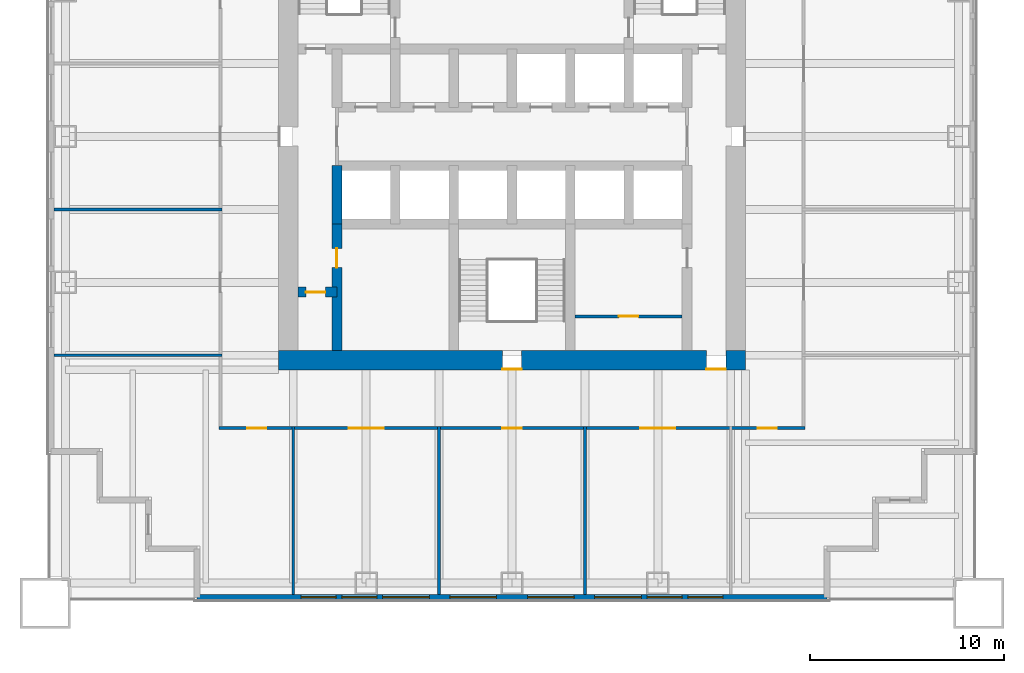
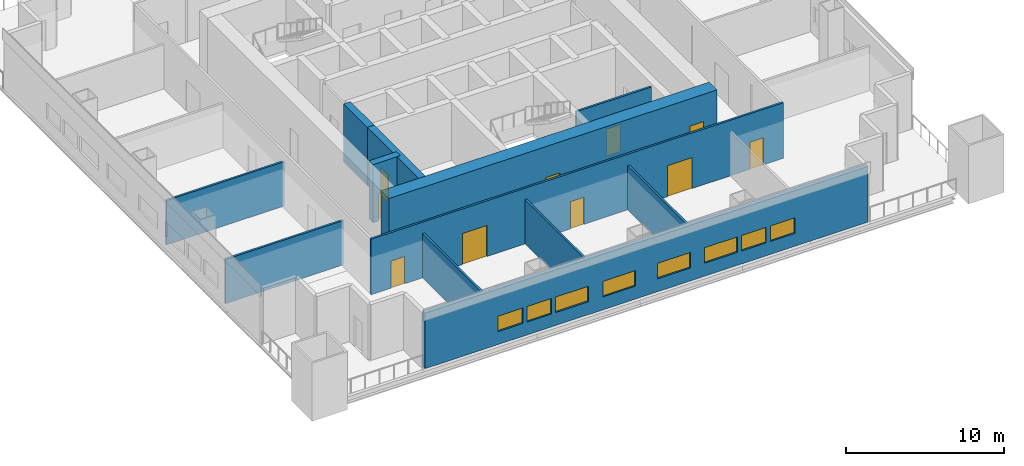
# One storey, part 2 of 7: 12 walls, 10 doors, 8 windows, 18 openings.
"""IFC4 building model written with IfcOpenShell, lengths in metres."""

import ifcopenshell
import ifcopenshell.guid

model = None  # the IFC model being written
_history = None  # IfcOwnerHistory: only IFC2X3 demands one
_inside = {}  # id of a spatial element -> (the spatial element, [elements in it])
_under = {}  # id of a project, library or spatial element -> (it, [spatial elements below it])
_declared = {}  # id of a project -> (the project, [libraries it declares])
_typed = {}  # id of a type object -> (the type object, [elements of that type])
_made_of = {}  # id of a material, layer set ... -> (it, [elements and type objects made of it])


def new_model(schema):
    """Start an empty IFC model of exactly this schema.

    Asked for "IFC4X3", IfcOpenShell would pick the latest addendum, in which some entities
    have other attributes; the version numbers below select the first issue.
    IFC2X3 requires an IfcOwnerHistory on every rooted entity: one is made here for all.
    """
    global model, _history
    if schema == "IFC4X3":
        model = ifcopenshell.file(schema_version=(4, 3, 0, 0))
    else:
        model = ifcopenshell.file(schema=schema)
    _inside.clear()
    _under.clear()
    _declared.clear()
    _typed.clear()
    _made_of.clear()
    _history = None
    if model.schema == "IFC2X3":
        org = make("IfcOrganization", Name="unknown")
        user = make(
            "IfcPersonAndOrganization",
            ThePerson=make("IfcPerson", FamilyName="unknown"),
            TheOrganization=org,
        )
        app = make(
            "IfcApplication",
            ApplicationDeveloper=org,
            Version="unknown",
            ApplicationFullName="unknown",
            ApplicationIdentifier="unknown",
        )
        _history = make(
            "IfcOwnerHistory",
            OwningUser=user,
            OwningApplication=app,
            ChangeAction="ADDED",
            CreationDate=0,
        )
    return model


def make(cls, **values):
    """One entity of the class cls with the attributes given. An attribute that is None is left unset."""
    return model.create_entity(
        cls, **{name: value for name, value in values.items() if value is not None}
    )


def rooted(cls, **values):
    """An entity with a GlobalId (a new one), such as an element, a storey or a relation."""
    return make(cls, GlobalId=ifcopenshell.guid.new(), OwnerHistory=_history, **values)


def si_unit(unit_type, name, prefix=None):
    """IfcSIUnit, for example si_unit("LENGTHUNIT", "METRE", prefix="MILLI")."""
    return make("IfcSIUnit", UnitType=unit_type, Prefix=prefix, Name=name)


def assignment(units):
    """IfcUnitAssignment: the units of a project."""
    return None if units is None else make("IfcUnitAssignment", Units=units)


def point(xyz):
    """IfcCartesianPoint."""
    return None if xyz is None else make("IfcCartesianPoint", Coordinates=xyz)


def direction(xyz):
    """IfcDirection."""
    return None if xyz is None else make("IfcDirection", DirectionRatios=xyz)


def frame(location, z_axis=None, x_axis=None):
    """IfcAxis2Placement3D, a coordinate frame: its origin and axes. An axis left out is left unset."""
    return make(
        "IfcAxis2Placement3D",
        Location=point(location),
        Axis=direction(z_axis),
        RefDirection=direction(x_axis),
    )


def frame_2d(location, x_axis=None):
    """IfcAxis2Placement2D, a coordinate frame in the plane: its origin and x axis."""
    return make(
        "IfcAxis2Placement2D", Location=point(location), RefDirection=direction(x_axis)
    )


def origin():
    """The frame at (0, 0, 0) with its axes left unset."""
    return frame((0.0, 0.0, 0.0))


def place(relative_to, where):
    """IfcLocalPlacement: puts the frame where relative to a parent placement (None: the world)."""
    return make(
        "IfcLocalPlacement", PlacementRelTo=relative_to, RelativePlacement=where
    )


def context(
    kind, dimensions, precision=None, world=None, true_north=None, identifier=None
):
    """IfcGeometricRepresentationContext, for example the 3D "Model" context."""
    return make(
        "IfcGeometricRepresentationContext",
        ContextIdentifier=identifier,
        ContextType=kind,
        CoordinateSpaceDimension=dimensions,
        Precision=precision,
        WorldCoordinateSystem=world,
        TrueNorth=true_north,
    )


def subcontext(parent, identifier, kind, view, scale=None):
    """IfcGeometricRepresentationSubContext, for example "Body" below "Model"."""
    return make(
        "IfcGeometricRepresentationSubContext",
        ContextIdentifier=identifier,
        ContextType=kind,
        ParentContext=parent,
        TargetScale=scale,
        TargetView=view,
    )


def project(units=None, contexts=None):
    """IfcProject with its units and contexts."""
    return rooted(
        "IfcProject",
        Name="project",
        RepresentationContexts=contexts,
        UnitsInContext=assignment(units),
    )


def spatial(cls, under=None, at=None, **own):
    """A site, building, storey or space (cls), placed at a placement, below another one or the project."""
    s = rooted(cls, ObjectPlacement=at, **own)
    if under is not None:
        _under.setdefault(under.id(), (under, []))[1].append(s)
    return s


def profile(cls, at=None, kind="AREA", **sizes):
    """A parametric profile (cls). Its sizes go by their IFC names, for example OverallWidth=200.0."""
    return make(cls, ProfileType=kind, Position=at, **sizes)


def rectangle(**sizes):
    """IfcRectangleProfileDef."""
    return profile("IfcRectangleProfileDef", **sizes)


def extrude(swept, where, along, depth):
    """IfcExtrudedAreaSolid: the profile swept, set in the frame where, extruded along a direction by depth."""
    return make(
        "IfcExtrudedAreaSolid",
        SweptArea=swept,
        Position=where,
        ExtrudedDirection=direction(along),
        Depth=depth,
    )


def shape(context_of_items, identifier, shape_type, items):
    """IfcShapeRepresentation: the items that make up one representation, for example the "Body"."""
    return make(
        "IfcShapeRepresentation",
        ContextOfItems=context_of_items,
        RepresentationIdentifier=identifier,
        RepresentationType=shape_type,
        Items=items,
    )


def material(Name=None, Category=None):
    """IfcMaterial."""
    return make("IfcMaterial", Name=Name, Category=Category)


def layer(
    of_material, thickness, ventilated=None, Name=None, Category=None, Priority=None
):
    """IfcMaterialLayer: one layer of a wall or slab, of a material (None: an air gap)."""
    return make(
        "IfcMaterialLayer",
        Material=of_material,
        LayerThickness=thickness,
        IsVentilated=ventilated,
        Name=Name,
        Category=Category,
        Priority=Priority,
    )


def layer_set(layers, Name=None):
    """IfcMaterialLayerSet."""
    return make("IfcMaterialLayerSet", MaterialLayers=layers, LayerSetName=Name)


def made_of(thing, what):
    """Note that an element or type object is made of a material, layer set ...; save() writes the relation."""
    if what is not None:
        _made_of.setdefault(what.id(), (what, []))[1].append(thing)
    return thing


def type_object(cls, material=None, **own):
    """A type object (cls), such as IfcWallType, which elements share."""
    return made_of(rooted(cls, **own), material)


def element(
    cls,
    number,
    at=None,
    inside=None,
    cuts=None,
    type_object=None,
    material=None,
    context=None,
    identifier="Body",
    shape_type=None,
    held_by="IfcProductDefinitionShape",
    body=None,
    shapes=None,
    **own,
):
    """One element of the class cls, such as IfcWall. Its Tag is "e" and its number.

    at: its placement. inside: the storey or other place that contains it. cuts: it is an
    opening in that element (IfcRelVoidsElement). A single representation is given by context,
    identifier, shape_type and body (its items); several are given by shapes. held_by: the class
    of the entity that holds the representations. save() writes the other relations.
    """
    e = rooted(cls, Tag="e%d" % number, ObjectPlacement=at, **own)
    if body is not None:
        shapes = [shape(context, identifier, shape_type, body)]
    if shapes is not None:
        e.Representation = make(held_by, Representations=shapes)
    if inside is not None:
        _inside.setdefault(inside.id(), (inside, []))[1].append(e)
    if cuts is not None:
        rooted(
            "IfcRelVoidsElement", RelatingBuildingElement=cuts, RelatedOpeningElement=e
        )
    if type_object is not None:
        _typed.setdefault(type_object.id(), (type_object, []))[1].append(e)
    return made_of(e, material)


def fill(opening, filler):
    """IfcRelFillsElement: the door or window that sits in an opening."""
    return rooted(
        "IfcRelFillsElement",
        RelatingOpeningElement=opening,
        RelatedBuildingElement=filler,
    )


def aggregate(whole, parts):
    """IfcRelAggregates: a whole, such as a stair, and the parts it consists of."""
    return rooted("IfcRelAggregates", RelatingObject=whole, RelatedObjects=parts)


def save(model, path):
    """Write the relations noted so far, then the file.

    IfcRelAggregates (storeys below a building ...), IfcRelContainedInSpatialStructure (elements
    in a storey), IfcRelDefinesByType, IfcRelAssociatesMaterial and IfcRelDeclares: one each for
    every whole, place, type object, material and project.
    """
    for whole, parts in _under.values():
        aggregate(whole, parts)
    for where, things in _inside.values():
        rooted(
            "IfcRelContainedInSpatialStructure",
            RelatedElements=things,
            RelatingStructure=where,
        )
    for kind, things in _typed.values():
        rooted("IfcRelDefinesByType", RelatedObjects=things, RelatingType=kind)
    for what, things in _made_of.values():
        rooted("IfcRelAssociatesMaterial", RelatedObjects=things, RelatingMaterial=what)
    for by, libraries in _declared.values():
        rooted("IfcRelDeclares", RelatingContext=by, RelatedDefinitions=libraries)
    model.write(path)


model = new_model("IFC4")

# Units and contexts
model_context = context("Model", 3, precision=1e-05, world=origin(), true_north=direction((0.0, 1.0)))
body_context = subcontext(model_context, "Body", "Model", "MODEL_VIEW")
ifc_project = project(units=[si_unit("LENGTHUNIT", "METRE"), si_unit("AREAUNIT", "SQUARE_METRE"), si_unit("VOLUMEUNIT", "CUBIC_METRE"), si_unit("PLANEANGLEUNIT", "RADIAN"), si_unit("MASSUNIT", "GRAM", prefix="KILO")], contexts=[model_context])

# Site, building, storey
site_placement = place(None, origin())
site = spatial("IfcSite", under=ifc_project, at=site_placement, CompositionType="ELEMENT")
building_placement = place(site_placement, origin())
building = spatial("IfcBuilding", under=site, at=building_placement, Name="Tarangal Relay Tower", CompositionType="ELEMENT")
storey_placement = place(building_placement, frame((0.0, 0.0, 162.89990234375)))
storey = spatial("IfcBuildingStorey", under=building, at=storey_placement, Name="L33", CompositionType="ELEMENT", Elevation=162.89990234375)

# Wall, opening, door
ifc_material_1 = material(Name="Concrete fc' 60 MPa", Category="concrete")
ifc_layer_1 = layer(ifc_material_1, 0.5)
ifc_layer_set_1 = layer_set([ifc_layer_1], Name="Core inner wall 500")
wall_type_1 = type_object("IfcWallType", Name="Core inner wall 500", PredefinedType="SHEAR", material=ifc_layer_set_1)
wall_1_placement = place(storey_placement, frame((-11.0, -8.0, 0.0), z_axis=(0.0, 0.0, 1.0), x_axis=(1.0, 0.0, 0.0)))
wall_1 = element("IfcWall", 1, at=wall_1_placement, inside=storey, type_object=wall_type_1, Name="Core wall YM8 L33", PredefinedType="SHEAR", context=body_context, shape_type="SweptSolid", body=[
    extrude(rectangle(XDim=2.0, YDim=0.5, at=frame_2d((1.0, 0.0))), origin(), (0.0, 0.0, 1.0), 4.5),
])
opening_1_placement = place(wall_1_placement, frame((0.39990234375, 0.0, 0.0)))
opening_1 = element("IfcOpeningElement", 2, at=opening_1_placement, cuts=wall_1, Name="Opening D1", PredefinedType="OPENING", context=body_context, shape_type="SweptSolid", body=[
    extrude(rectangle(XDim=1.0, YDim=2.10009765625, at=frame_2d((0.5, 1.050048828125))), frame((0.0, 0.260009765625, 0.0), z_axis=(0.0, -1.0, 0.0), x_axis=(1.0, 0.0, 0.0)), (0.0, 0.0, 1.0), 0.52001953125),
])
ifc_material_2 = material(Name="Hardwood door", Category="wood")
door_type_1 = type_object("IfcDoorType", Name="WC door 1000 x 2100", OperationType="SINGLE_SWING_LEFT", PredefinedType="DOOR", material=ifc_material_2)
door_1_placement = place(opening_1_placement, origin())
door_1 = element("IfcDoor", 3, at=door_1_placement, inside=storey, type_object=door_type_1, Name="Accessible WC door L33", OperationType="SINGLE_SWING_LEFT", OverallHeight=2.10009765625, OverallWidth=1.0, PredefinedType="DOOR", context=body_context, shape_type="SweptSolid", body=[
    extrude(rectangle(XDim=1.0, YDim=2.10009765625, at=frame_2d((0.5, 1.050048828125))), frame((0.0, 0.02490234375, 0.0), z_axis=(0.0, -1.0, 0.0), x_axis=(1.0, 0.0, 0.0)), (0.0, 0.0, 1.0), 0.050048828125),
])
fill(opening_1, door_1)

# Wall
wall_2_placement = place(storey_placement, frame((-9.0, -4.5, 0.0), z_axis=(0.0, 0.0, 1.0), x_axis=(0.0, 1.0, 0.0)))
element("IfcWall", 4, at=wall_2_placement, inside=storey, type_object=wall_type_1, Name="Core wall XM9S L33", PredefinedType="SHEAR", context=body_context, shape_type="SweptSolid", body=[
    extrude(rectangle(XDim=3.0, YDim=0.5, at=frame_2d((1.5, 0.0))), origin(), (0.0, 0.0, 1.0), 4.5),
])

# Wall, opening, door
wall_3_placement = place(storey_placement, frame((-9.0, -11.0, 0.0), z_axis=(0.0, 0.0, 1.0), x_axis=(0.0, 1.0, 0.0)))
wall_3 = element("IfcWall", 5, at=wall_3_placement, inside=storey, type_object=wall_type_1, Name="Core wall XM9W L33", PredefinedType="SHEAR", context=body_context, shape_type="SweptSolid", body=[
    extrude(rectangle(XDim=6.5, YDim=0.5, at=frame_2d((3.25, 0.0))), origin(), (0.0, 0.0, 1.0), 4.5),
])
opening_2_placement = place(wall_3_placement, frame((4.25, 0.0, 0.0)))
opening_2 = element("IfcOpeningElement", 6, at=opening_2_placement, cuts=wall_3, Name="Opening D1", PredefinedType="OPENING", context=body_context, shape_type="SweptSolid", body=[
    extrude(rectangle(XDim=1.0, YDim=2.10009765625, at=frame_2d((0.5, 1.050048828125))), frame((0.0, 0.260009765625, 0.0), z_axis=(0.0, -1.0, 0.0), x_axis=(1.0, 0.0, 0.0)), (0.0, 0.0, 1.0), 0.52001953125),
])
door_2_placement = place(opening_2_placement, origin())
door_2 = element("IfcDoor", 7, at=door_2_placement, inside=storey, type_object=door_type_1, Name="Male WC door L33", OperationType="SINGLE_SWING_LEFT", OverallHeight=2.10009765625, OverallWidth=1.0, PredefinedType="DOOR", context=body_context, shape_type="SweptSolid", body=[
    extrude(rectangle(XDim=1.0, YDim=2.10009765625, at=frame_2d((0.5, 1.050048828125))), frame((0.0, 0.02490234375, 0.0), z_axis=(0.0, -1.0, 0.0), x_axis=(1.0, 0.0, 0.0)), (0.0, 0.0, 1.0), 0.050048828125),
])
fill(opening_2, door_2)

# Wall, openings, doors
ifc_layer_2 = layer(ifc_material_1, 1.0)
ifc_layer_set_2 = layer_set([ifc_layer_2], Name="Core wall 1000")
wall_type_2 = type_object("IfcWallType", Name="Core wall 1000", PredefinedType="SHEAR", material=ifc_layer_set_2)
wall_4_placement = place(storey_placement, frame((12.0, -11.5, 0.0), z_axis=(0.0, 0.0, 1.0), x_axis=(-1.0, 0.0, 0.0)))
wall_4 = element("IfcWall", 8, at=wall_4_placement, inside=storey, type_object=wall_type_2, Name="Core wall S L33", PredefinedType="SHEAR", context=body_context, shape_type="SweptSolid", body=[
    extrude(rectangle(XDim=24.0, YDim=1.0, at=frame_2d((12.0, 0.0))), origin(), (0.0, 0.0, 1.0), 4.5),
])
opening_3_placement = place(wall_4_placement, frame((11.5, 0.0, 0.0)))
opening_3 = element("IfcOpeningElement", 9, at=opening_3_placement, cuts=wall_4, Name="Opening FD1", PredefinedType="OPENING", context=body_context, shape_type="SweptSolid", body=[
    extrude(rectangle(XDim=1.0, YDim=2.10009765625, at=frame_2d((0.5, 1.050048828125))), frame((0.0, 0.510009765625, 0.0), z_axis=(0.0, -1.0, 0.0), x_axis=(1.0, 0.0, 0.0)), (0.0, 0.0, 1.0), 1.02001953125),
])
opening_4_placement = place(wall_4_placement, frame((1.0, 0.0, 0.0)))
opening_4 = element("IfcOpeningElement", 10, at=opening_4_placement, cuts=wall_4, Name="Opening FD3", PredefinedType="OPENING", context=body_context, shape_type="SweptSolid", body=[
    extrude(rectangle(XDim=1.0, YDim=2.39990234375, at=frame_2d((0.5, 1.199951171875))), frame((0.0, 0.510009765625, 0.0), z_axis=(0.0, -1.0, 0.0), x_axis=(1.0, 0.0, 0.0)), (0.0, 0.0, 1.0), 1.02001953125),
])
ifc_material_3 = material(Name="Steel door with hardwood frame", Category="steel")
door_type_2 = type_object("IfcDoorType", Name="Fire door 1000 x 2100", OperationType="SINGLE_SWING_LEFT", PredefinedType="DOOR", material=ifc_material_3)
door_3_placement = place(opening_3_placement, origin())
door_3 = element("IfcDoor", 11, at=door_3_placement, inside=storey, type_object=door_type_2, Name="Stair ST-C door L33", OperationType="SINGLE_SWING_LEFT", OverallHeight=2.10009765625, OverallWidth=1.0, PredefinedType="DOOR", context=body_context, shape_type="SweptSolid", body=[
    extrude(rectangle(XDim=1.0, YDim=2.10009765625, at=frame_2d((0.5, 1.050048828125))), frame((0.0, 0.48486328125, 0.0), z_axis=(0.0, -1.0, 0.0), x_axis=(1.0, 0.0, 0.0)), (0.0, 0.0, 1.0), 0.050048828125),
])
fill(opening_3, door_3)
door_type_3 = type_object("IfcDoorType", Name="Fire door 1000 x 2400 core entry", OperationType="SINGLE_SWING_RIGHT", PredefinedType="DOOR", material=ifc_material_3)
door_4_placement = place(opening_4_placement, origin())
door_4 = element("IfcDoor", 12, at=door_4_placement, inside=storey, type_object=door_type_3, Name="Core entry door south east L33", OperationType="SINGLE_SWING_RIGHT", OverallHeight=2.39990234375, OverallWidth=1.0, PredefinedType="DOOR", context=body_context, shape_type="SweptSolid", body=[
    extrude(rectangle(XDim=1.0, YDim=2.39990234375, at=frame_2d((0.5, 1.199951171875))), frame((0.0, 0.48486328125, 0.0), z_axis=(0.0, -1.0, 0.0), x_axis=(1.0, 0.0, 0.0)), (0.0, 0.0, 1.0), 0.050048828125),
])
fill(opening_4, door_4)

# Wall, openings, windows
ifc_material_4 = material(Name="Insulated precast concrete fc' 40 MPa", Category="concrete")
ifc_layer_3 = layer(ifc_material_4, 0.300048828125)
ifc_layer_set_3 = layer_set([ifc_layer_3], Name="Insulated precast concrete fc' 40 MPa")
wall_type_3 = type_object("IfcWallType", Name="Facade wall precast 300", PredefinedType="SOLIDWALL", material=ifc_layer_set_3)
wall_5_placement = place(storey_placement, frame((16.199951171875, -23.699951171875, 0.0), z_axis=(0.0, 0.0, 1.0), x_axis=(-1.0, 0.0, 0.0)))
wall_5 = element("IfcWall", 13, at=wall_5_placement, inside=storey, type_object=wall_type_3, Name="Facade wall S facade L33", PredefinedType="SOLIDWALL", context=body_context, shape_type="SweptSolid", body=[
    extrude(rectangle(XDim=32.39990234375, YDim=0.300048828125, at=frame_2d((16.199951171875, 0.0))), origin(), (0.0, 0.0, 1.0), 4.300048828125),
])
opening_5_placement = place(wall_5_placement, frame((5.35009765625, 0.0, 1.0)))
opening_5 = element("IfcOpeningElement", 14, at=opening_5_placement, cuts=wall_5, Name="Opening WN5", PredefinedType="OPENING", context=body_context, shape_type="SweptSolid", body=[
    extrude(rectangle(XDim=1.800048828125, YDim=1.199951171875, at=frame_2d((0.89990234375, 0.60009765625))), frame((0.0, 0.159912109375, 0.0), z_axis=(0.0, -1.0, 0.0), x_axis=(1.0, 0.0, 0.0)), (0.0, 0.0, 1.0), 0.320068359375),
])
opening_6_placement = place(wall_5_placement, frame((7.449951171875, 0.0, 1.0)))
opening_6 = element("IfcOpeningElement", 15, at=opening_6_placement, cuts=wall_5, Name="Opening WN5", PredefinedType="OPENING", context=body_context, shape_type="SweptSolid", body=[
    extrude(rectangle(XDim=1.800048828125, YDim=1.199951171875, at=frame_2d((0.89990234375, 0.60009765625))), frame((0.0, 0.159912109375, 0.0), z_axis=(0.0, -1.0, 0.0), x_axis=(1.0, 0.0, 0.0)), (0.0, 0.0, 1.0), 0.320068359375),
])
opening_7_placement = place(wall_5_placement, frame((9.550048828125, 0.0, 1.0)))
opening_7 = element("IfcOpeningElement", 16, at=opening_7_placement, cuts=wall_5, Name="Opening WN1", PredefinedType="OPENING", context=body_context, shape_type="SweptSolid", body=[
    extrude(rectangle(XDim=2.39990234375, YDim=1.199951171875, at=frame_2d((1.199951171875, 0.60009765625))), frame((0.0, 0.159912109375, 0.0), z_axis=(0.0, -1.0, 0.0), x_axis=(1.0, 0.0, 0.0)), (0.0, 0.0, 1.0), 0.320068359375),
])
opening_8_placement = place(wall_5_placement, frame((13.0, 0.0, 1.0)))
opening_8 = element("IfcOpeningElement", 17, at=opening_8_placement, cuts=wall_5, Name="Opening WN1", PredefinedType="OPENING", context=body_context, shape_type="SweptSolid", body=[
    extrude(rectangle(XDim=2.39990234375, YDim=1.199951171875, at=frame_2d((1.199951171875, 0.60009765625))), frame((0.0, 0.159912109375, 0.0), z_axis=(0.0, -1.0, 0.0), x_axis=(1.0, 0.0, 0.0)), (0.0, 0.0, 1.0), 0.320068359375),
])
opening_9_placement = place(wall_5_placement, frame((17.0, 0.0, 1.0)))
opening_9 = element("IfcOpeningElement", 18, at=opening_9_placement, cuts=wall_5, Name="Opening WN1", PredefinedType="OPENING", context=body_context, shape_type="SweptSolid", body=[
    extrude(rectangle(XDim=2.39990234375, YDim=1.199951171875, at=frame_2d((1.199951171875, 0.60009765625))), frame((0.0, 0.159912109375, 0.0), z_axis=(0.0, -1.0, 0.0), x_axis=(1.0, 0.0, 0.0)), (0.0, 0.0, 1.0), 0.320068359375),
])
opening_10_placement = place(wall_5_placement, frame((20.449951171875, 0.0, 1.0)))
opening_10 = element("IfcOpeningElement", 19, at=opening_10_placement, cuts=wall_5, Name="Opening WN1", PredefinedType="OPENING", context=body_context, shape_type="SweptSolid", body=[
    extrude(rectangle(XDim=2.39990234375, YDim=1.199951171875, at=frame_2d((1.199951171875, 0.60009765625))), frame((0.0, 0.159912109375, 0.0), z_axis=(0.0, -1.0, 0.0), x_axis=(1.0, 0.0, 0.0)), (0.0, 0.0, 1.0), 0.320068359375),
])
opening_11_placement = place(wall_5_placement, frame((23.14990234375, 0.0, 1.0)))
opening_11 = element("IfcOpeningElement", 20, at=opening_11_placement, cuts=wall_5, Name="Opening WN5", PredefinedType="OPENING", context=body_context, shape_type="SweptSolid", body=[
    extrude(rectangle(XDim=1.800048828125, YDim=1.199951171875, at=frame_2d((0.89990234375, 0.60009765625))), frame((0.0, 0.159912109375, 0.0), z_axis=(0.0, -1.0, 0.0), x_axis=(1.0, 0.0, 0.0)), (0.0, 0.0, 1.0), 0.320068359375),
])
opening_12_placement = place(wall_5_placement, frame((25.25, 0.0, 1.0)))
opening_12 = element("IfcOpeningElement", 21, at=opening_12_placement, cuts=wall_5, Name="Opening WN5", PredefinedType="OPENING", context=body_context, shape_type="SweptSolid", body=[
    extrude(rectangle(XDim=1.800048828125, YDim=1.199951171875, at=frame_2d((0.89990234375, 0.60009765625))), frame((0.0, 0.159912109375, 0.0), z_axis=(0.0, -1.0, 0.0), x_axis=(1.0, 0.0, 0.0)), (0.0, 0.0, 1.0), 0.320068359375),
])
ifc_material_5 = material(Name="Dark tinted double glazing in black aluminium frame", Category="aluminium")
window_type_1 = type_object("IfcWindowType", Name="Ribbon window 1800 x 1200", PartitioningType="SINGLE_PANEL", PredefinedType="WINDOW", material=ifc_material_5)
window_1_placement = place(opening_5_placement, origin())
window_1 = element("IfcWindow", 22, at=window_1_placement, inside=storey, type_object=window_type_1, Name="Ribbon window WN5 S facade L33", OverallHeight=1.199951171875, OverallWidth=1.800048828125, PartitioningType="SINGLE_PANEL", PredefinedType="WINDOW", context=body_context, shape_type="SweptSolid", body=[
    extrude(rectangle(XDim=1.800048828125, YDim=1.199951171875, at=frame_2d((0.89990234375, 0.60009765625))), frame((0.0, 0.030029296875, 0.0), z_axis=(0.0, -1.0, 0.0), x_axis=(1.0, 0.0, 0.0)), (0.0, 0.0, 1.0), 0.06005859375),
])
fill(opening_5, window_1)
window_2_placement = place(opening_6_placement, origin())
window_2 = element("IfcWindow", 23, at=window_2_placement, inside=storey, type_object=window_type_1, Name="Ribbon window WN5 S facade L33", OverallHeight=1.199951171875, OverallWidth=1.800048828125, PartitioningType="SINGLE_PANEL", PredefinedType="WINDOW", context=body_context, shape_type="SweptSolid", body=[
    extrude(rectangle(XDim=1.800048828125, YDim=1.199951171875, at=frame_2d((0.89990234375, 0.60009765625))), frame((0.0, 0.030029296875, 0.0), z_axis=(0.0, -1.0, 0.0), x_axis=(1.0, 0.0, 0.0)), (0.0, 0.0, 1.0), 0.06005859375),
])
fill(opening_6, window_2)
window_3_placement = place(opening_11_placement, origin())
window_3 = element("IfcWindow", 24, at=window_3_placement, inside=storey, type_object=window_type_1, Name="Ribbon window WN5 S facade L33", OverallHeight=1.199951171875, OverallWidth=1.800048828125, PartitioningType="SINGLE_PANEL", PredefinedType="WINDOW", context=body_context, shape_type="SweptSolid", body=[
    extrude(rectangle(XDim=1.800048828125, YDim=1.199951171875, at=frame_2d((0.89990234375, 0.60009765625))), frame((0.0, 0.030029296875, 0.0), z_axis=(0.0, -1.0, 0.0), x_axis=(1.0, 0.0, 0.0)), (0.0, 0.0, 1.0), 0.06005859375),
])
fill(opening_11, window_3)
window_4_placement = place(opening_12_placement, origin())
window_4 = element("IfcWindow", 25, at=window_4_placement, inside=storey, type_object=window_type_1, Name="Ribbon window WN5 S facade L33", OverallHeight=1.199951171875, OverallWidth=1.800048828125, PartitioningType="SINGLE_PANEL", PredefinedType="WINDOW", context=body_context, shape_type="SweptSolid", body=[
    extrude(rectangle(XDim=1.800048828125, YDim=1.199951171875, at=frame_2d((0.89990234375, 0.60009765625))), frame((0.0, 0.030029296875, 0.0), z_axis=(0.0, -1.0, 0.0), x_axis=(1.0, 0.0, 0.0)), (0.0, 0.0, 1.0), 0.06005859375),
])
fill(opening_12, window_4)
window_type_2 = type_object("IfcWindowType", Name="Ribbon window 2400 x 1200", PartitioningType="SINGLE_PANEL", PredefinedType="WINDOW", material=ifc_material_5)
window_5_placement = place(opening_7_placement, origin())
window_5 = element("IfcWindow", 26, at=window_5_placement, inside=storey, type_object=window_type_2, Name="Ribbon window WN1 S facade L33", OverallHeight=1.199951171875, OverallWidth=2.39990234375, PartitioningType="SINGLE_PANEL", PredefinedType="WINDOW", context=body_context, shape_type="SweptSolid", body=[
    extrude(rectangle(XDim=2.39990234375, YDim=1.199951171875, at=frame_2d((1.199951171875, 0.60009765625))), frame((0.0, 0.030029296875, 0.0), z_axis=(0.0, -1.0, 0.0), x_axis=(1.0, 0.0, 0.0)), (0.0, 0.0, 1.0), 0.06005859375),
])
fill(opening_7, window_5)
window_6_placement = place(opening_8_placement, origin())
window_6 = element("IfcWindow", 27, at=window_6_placement, inside=storey, type_object=window_type_2, Name="Ribbon window WN1 S facade L33", OverallHeight=1.199951171875, OverallWidth=2.39990234375, PartitioningType="SINGLE_PANEL", PredefinedType="WINDOW", context=body_context, shape_type="SweptSolid", body=[
    extrude(rectangle(XDim=2.39990234375, YDim=1.199951171875, at=frame_2d((1.199951171875, 0.60009765625))), frame((0.0, 0.030029296875, 0.0), z_axis=(0.0, -1.0, 0.0), x_axis=(1.0, 0.0, 0.0)), (0.0, 0.0, 1.0), 0.06005859375),
])
fill(opening_8, window_6)
window_7_placement = place(opening_9_placement, origin())
window_7 = element("IfcWindow", 28, at=window_7_placement, inside=storey, type_object=window_type_2, Name="Ribbon window WN1 S facade L33", OverallHeight=1.199951171875, OverallWidth=2.39990234375, PartitioningType="SINGLE_PANEL", PredefinedType="WINDOW", context=body_context, shape_type="SweptSolid", body=[
    extrude(rectangle(XDim=2.39990234375, YDim=1.199951171875, at=frame_2d((1.199951171875, 0.60009765625))), frame((0.0, 0.030029296875, 0.0), z_axis=(0.0, -1.0, 0.0), x_axis=(1.0, 0.0, 0.0)), (0.0, 0.0, 1.0), 0.06005859375),
])
fill(opening_9, window_7)
window_8_placement = place(opening_10_placement, origin())
window_8 = element("IfcWindow", 29, at=window_8_placement, inside=storey, type_object=window_type_2, Name="Ribbon window WN1 S facade L33", OverallHeight=1.199951171875, OverallWidth=2.39990234375, PartitioningType="SINGLE_PANEL", PredefinedType="WINDOW", context=body_context, shape_type="SweptSolid", body=[
    extrude(rectangle(XDim=2.39990234375, YDim=1.199951171875, at=frame_2d((1.199951171875, 0.60009765625))), frame((0.0, 0.030029296875, 0.0), z_axis=(0.0, -1.0, 0.0), x_axis=(1.0, 0.0, 0.0)), (0.0, 0.0, 1.0), 0.06005859375),
])
fill(opening_10, window_8)

# Wall, openings, doors
ifc_material_6 = material(Name="Gypsum board on steel studs", Category="steel")
ifc_layer_4 = layer(ifc_material_6, 0.14990234375)
ifc_layer_set_4 = layer_set([ifc_layer_4], Name="Partition 150")
wall_type_4 = type_object("IfcWallType", Name="Partition 150", PredefinedType="PARTITIONING", material=ifc_layer_set_4)
wall_6_placement = place(storey_placement, frame((-15.074951171875, -15.0, 0.0), z_axis=(0.0, 0.0, 1.0), x_axis=(1.0, 0.0, 0.0)))
wall_6 = element("IfcWall", 30, at=wall_6_placement, inside=storey, type_object=wall_type_4, Name="Partition PT1 L33", PredefinedType="PARTITIONING", context=body_context, shape_type="SweptSolid", body=[
    extrude(rectangle(XDim=30.14990234375, YDim=0.14990234375, at=frame_2d((15.074951171875, 0.0))), origin(), (0.0, 0.0, 1.0), 4.300048828125),
])
opening_13_placement = place(wall_6_placement, frame((21.675048828125, 0.0, 0.0)))
opening_13 = element("IfcOpeningElement", 31, at=opening_13_placement, cuts=wall_6, Name="Opening DD1", PredefinedType="OPENING", context=body_context, shape_type="SweptSolid", body=[
    extrude(rectangle(XDim=1.800048828125, YDim=2.39990234375, at=frame_2d((0.89990234375, 1.199951171875))), frame((0.0, 0.0849609375, 0.0), z_axis=(0.0, -1.0, 0.0), x_axis=(1.0, 0.0, 0.0)), (0.0, 0.0, 1.0), 0.169921875),
])
opening_14_placement = place(wall_6_placement, frame((14.574951171875, 0.0, 0.0)))
opening_14 = element("IfcOpeningElement", 32, at=opening_14_placement, cuts=wall_6, Name="Opening D2", PredefinedType="OPENING", context=body_context, shape_type="SweptSolid", body=[
    extrude(rectangle(XDim=1.0, YDim=2.10009765625, at=frame_2d((0.5, 1.050048828125))), frame((0.0, 0.0849609375, 0.0), z_axis=(0.0, -1.0, 0.0), x_axis=(1.0, 0.0, 0.0)), (0.0, 0.0, 1.0), 0.169921875),
])
opening_15_placement = place(wall_6_placement, frame((6.675048828125, 0.0, 0.0)))
opening_15 = element("IfcOpeningElement", 33, at=opening_15_placement, cuts=wall_6, Name="Opening DD1", PredefinedType="OPENING", context=body_context, shape_type="SweptSolid", body=[
    extrude(rectangle(XDim=1.800048828125, YDim=2.39990234375, at=frame_2d((0.89990234375, 1.199951171875))), frame((0.0, 0.0849609375, 0.0), z_axis=(0.0, -1.0, 0.0), x_axis=(1.0, 0.0, 0.0)), (0.0, 0.0, 1.0), 0.169921875),
])
opening_16_placement = place(wall_6_placement, frame((27.699951171875, 0.0, 0.0)))
opening_16 = element("IfcOpeningElement", 34, at=opening_16_placement, cuts=wall_6, Name="Opening D2", PredefinedType="OPENING", context=body_context, shape_type="SweptSolid", body=[
    extrude(rectangle(XDim=1.0, YDim=2.10009765625, at=frame_2d((0.5, 1.050048828125))), frame((0.0, 0.0849609375, 0.0), z_axis=(0.0, -1.0, 0.0), x_axis=(1.0, 0.0, 0.0)), (0.0, 0.0, 1.0), 0.169921875),
])
opening_17_placement = place(wall_6_placement, frame((1.449951171875, 0.0, 0.0)))
opening_17 = element("IfcOpeningElement", 35, at=opening_17_placement, cuts=wall_6, Name="Opening D2", PredefinedType="OPENING", context=body_context, shape_type="SweptSolid", body=[
    extrude(rectangle(XDim=1.0, YDim=2.10009765625, at=frame_2d((0.5, 1.050048828125))), frame((0.0, 0.0849609375, 0.0), z_axis=(0.0, -1.0, 0.0), x_axis=(1.0, 0.0, 0.0)), (0.0, 0.0, 1.0), 0.169921875),
])
door_type_4 = type_object("IfcDoorType", Name="Door 1000 x 2100", OperationType="SINGLE_SWING_LEFT", PredefinedType="DOOR", material=ifc_material_2)
door_5_placement = place(opening_14_placement, origin())
door_5 = element("IfcDoor", 36, at=door_5_placement, inside=storey, type_object=door_type_4, Name="Door D2 to radio engineers office L33-07", OperationType="SINGLE_SWING_LEFT", OverallHeight=2.10009765625, OverallWidth=1.0, PredefinedType="DOOR", context=body_context, shape_type="SweptSolid", body=[
    extrude(rectangle(XDim=1.0, YDim=2.10009765625, at=frame_2d((0.5, 1.050048828125))), frame((0.0, 0.02490234375, 0.0), z_axis=(0.0, -1.0, 0.0), x_axis=(1.0, 0.0, 0.0)), (0.0, 0.0, 1.0), 0.050048828125),
])
fill(opening_14, door_5)
door_6_placement = place(opening_16_placement, origin())
door_6 = element("IfcDoor", 37, at=door_6_placement, inside=storey, type_object=door_type_4, Name="Door D2 to engineering office L33-13", OperationType="SINGLE_SWING_LEFT", OverallHeight=2.10009765625, OverallWidth=1.0, PredefinedType="DOOR", context=body_context, shape_type="SweptSolid", body=[
    extrude(rectangle(XDim=1.0, YDim=2.10009765625, at=frame_2d((0.5, 1.050048828125))), frame((0.0, 0.02490234375, 0.0), z_axis=(0.0, -1.0, 0.0), x_axis=(1.0, 0.0, 0.0)), (0.0, 0.0, 1.0), 0.050048828125),
])
fill(opening_16, door_6)
door_7_placement = place(opening_17_placement, origin())
door_7 = element("IfcDoor", 38, at=door_7_placement, inside=storey, type_object=door_type_4, Name="Door D2 to maintenance workshop L33-14", OperationType="SINGLE_SWING_LEFT", OverallHeight=2.10009765625, OverallWidth=1.0, PredefinedType="DOOR", context=body_context, shape_type="SweptSolid", body=[
    extrude(rectangle(XDim=1.0, YDim=2.10009765625, at=frame_2d((0.5, 1.050048828125))), frame((0.0, 0.02490234375, 0.0), z_axis=(0.0, -1.0, 0.0), x_axis=(1.0, 0.0, 0.0)), (0.0, 0.0, 1.0), 0.050048828125),
])
fill(opening_17, door_7)
door_type_5 = type_object("IfcDoorType", Name="Equipment double door 1800 x 2400", OperationType="DOUBLE_DOOR_SINGLE_SWING", PredefinedType="DOOR", material=ifc_material_3)
door_8_placement = place(opening_13_placement, origin())
door_8 = element("IfcDoor", 39, at=door_8_placement, inside=storey, type_object=door_type_5, Name="Door DD1 to rectifier, battery and electrical room L33-06", OperationType="DOUBLE_DOOR_SINGLE_SWING", OverallHeight=2.39990234375, OverallWidth=1.800048828125, PredefinedType="DOOR", context=body_context, shape_type="SweptSolid", body=[
    extrude(rectangle(XDim=1.800048828125, YDim=2.39990234375, at=frame_2d((0.89990234375, 1.199951171875))), frame((0.0, 0.02490234375, 0.0), z_axis=(0.0, -1.0, 0.0), x_axis=(1.0, 0.0, 0.0)), (0.0, 0.0, 1.0), 0.050048828125),
])
fill(opening_13, door_8)
door_9_placement = place(opening_15_placement, origin())
door_9 = element("IfcDoor", 40, at=door_9_placement, inside=storey, type_object=door_type_5, Name="Door DD1 to antenna cable entry room L33-08", OperationType="DOUBLE_DOOR_SINGLE_SWING", OverallHeight=2.39990234375, OverallWidth=1.800048828125, PredefinedType="DOOR", context=body_context, shape_type="SweptSolid", body=[
    extrude(rectangle(XDim=1.800048828125, YDim=2.39990234375, at=frame_2d((0.89990234375, 1.199951171875))), frame((0.0, 0.02490234375, 0.0), z_axis=(0.0, -1.0, 0.0), x_axis=(1.0, 0.0, 0.0)), (0.0, 0.0, 1.0), 0.050048828125),
])
fill(opening_15, door_9)

# Walls
for number, where, z_axis, x_axis, name in (
    (41, (-23.550048828125, -11.25, 0.0), (0.0, 0.0, 1.0), (1.0, 0.0, 0.0), "Partition PT1 L33"),
    (42, (-23.550048828125, -3.75, 0.0), (0.0, 0.0, 1.0), (1.0, 0.0, 0.0), "Partition PT1 L33"),
    (43, (-11.25, -23.550048828125, 0.0), (0.0, 0.0, 1.0), (0.0, 1.0, 0.0), "Partition PT1 L33"),
    (44, (-3.75, -23.550048828125, 0.0), (0.0, 0.0, 1.0), (0.0, 1.0, 0.0), "Partition PT1 L33"),
    (45, (3.75, -23.550048828125, 0.0), (0.0, 0.0, 1.0), (0.0, 1.0, 0.0), "Partition PT1 L33"),
):
    element("IfcWall", number, at=place(storey_placement, frame(where, z_axis=z_axis, x_axis=x_axis)), inside=storey, type_object=wall_type_4, Name=name, PredefinedType="PARTITIONING", context=body_context, shape_type="SweptSolid", body=[
        extrude(rectangle(XDim=8.625, YDim=0.14990234375, at=frame_2d((4.3125, 0.0))), origin(), (0.0, 0.0, 1.0), 3.431396484375),
    ])

# Wall, opening, door
wall_7_placement = place(storey_placement, frame((3.25, -9.25, 0.0), z_axis=(0.0, 0.0, 1.0), x_axis=(1.0, 0.0, 0.0)))
wall_7 = element("IfcWall", 46, at=wall_7_placement, inside=storey, type_object=wall_type_4, Name="Partition PT1 L33", PredefinedType="PARTITIONING", context=body_context, shape_type="SweptSolid", body=[
    extrude(rectangle(XDim=5.5, YDim=0.14990234375, at=frame_2d((2.75, 0.0))), origin(), (0.0, 0.0, 1.0), 4.25),
])
opening_18_placement = place(wall_7_placement, frame((2.25, 0.0, 0.0)))
opening_18 = element("IfcOpeningElement", 47, at=opening_18_placement, cuts=wall_7, Name="Opening D1", PredefinedType="OPENING", context=body_context, shape_type="SweptSolid", body=[
    extrude(rectangle(XDim=1.0, YDim=2.10009765625, at=frame_2d((0.5, 1.050048828125))), frame((0.0, 0.0849609375, 0.0), z_axis=(0.0, -1.0, 0.0), x_axis=(1.0, 0.0, 0.0)), (0.0, 0.0, 1.0), 0.169921875),
])
door_10_placement = place(opening_18_placement, origin())
door_10 = element("IfcDoor", 48, at=door_10_placement, inside=storey, type_object=door_type_1, Name="Door D1 to female shower and changing room L33-C10B", OperationType="SINGLE_SWING_LEFT", OverallHeight=2.10009765625, OverallWidth=1.0, PredefinedType="DOOR", context=body_context, shape_type="SweptSolid", body=[
    extrude(rectangle(XDim=1.0, YDim=2.10009765625, at=frame_2d((0.5, 1.050048828125))), frame((0.0, 0.02490234375, 0.0), z_axis=(0.0, -1.0, 0.0), x_axis=(1.0, 0.0, 0.0)), (0.0, 0.0, 1.0), 0.050048828125),
])
fill(opening_18, door_10)

save(model, "model.ifc")
